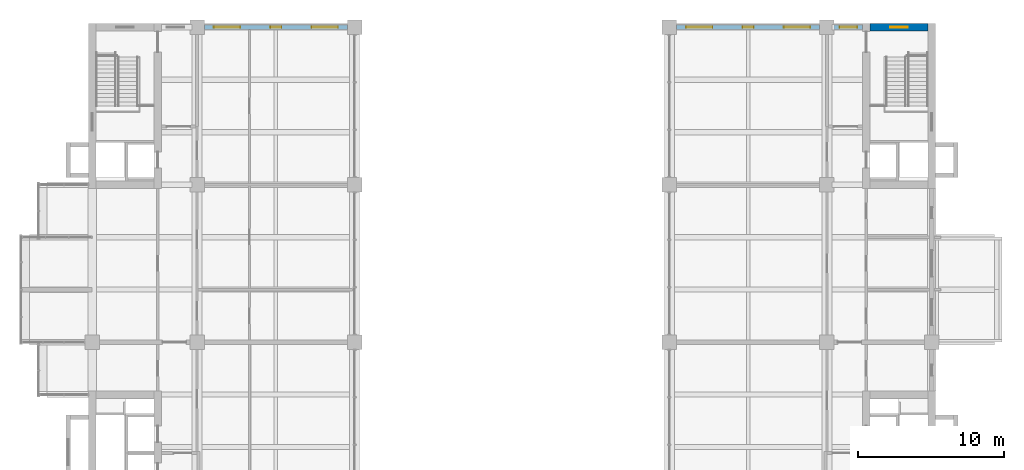
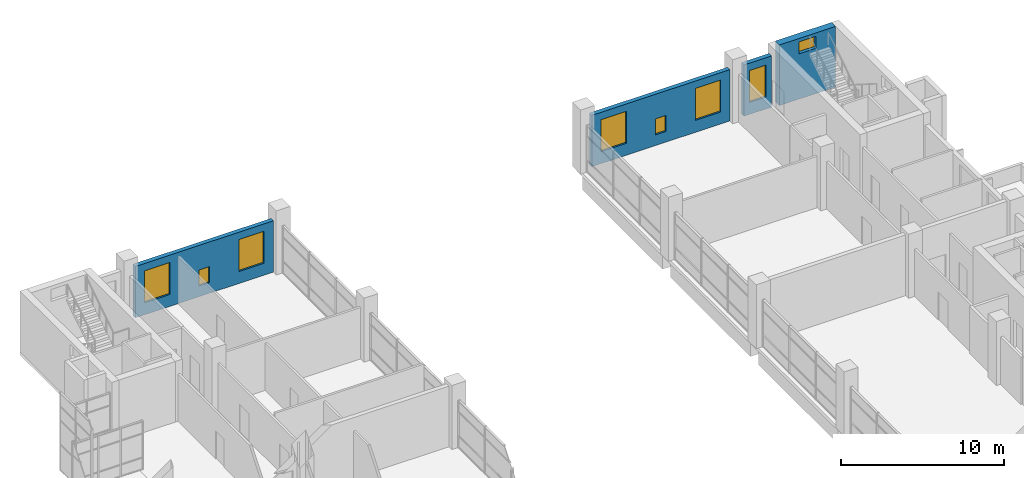
# One storey, part 27 of 30: 8 windows, 4 walls, 8 openings.
"""IFC4 building model written with IfcOpenShell, lengths in metres."""

from ifc_helpers import new_model, si_unit, direction, frame, frame_2d, origin, place, context, subcontext, project, spatial, rectangle, extrude, material, layer, layer_set, type_object, element, fill, save


model = new_model("IFC4")

# Units and contexts
model_context = context("Model", 3, precision=1e-05, world=origin(), true_north=direction((0.0, 1.0)))
body_context = subcontext(model_context, "Body", "Model", "MODEL_VIEW")
ifc_project = project(units=[si_unit("LENGTHUNIT", "METRE"), si_unit("AREAUNIT", "SQUARE_METRE"), si_unit("VOLUMEUNIT", "CUBIC_METRE"), si_unit("PLANEANGLEUNIT", "RADIAN"), si_unit("MASSUNIT", "GRAM", prefix="KILO")], contexts=[model_context])

# Site, building, storey
site_placement = place(None, origin())
site = spatial("IfcSite", under=ifc_project, at=site_placement, CompositionType="ELEMENT")
building_placement = place(site_placement, origin())
building = spatial("IfcBuilding", under=site, at=building_placement, Name="Basin Gate Institute", CompositionType="ELEMENT")
storey_placement = place(building_placement, frame((0.0, 0.0, 36.60009765625)))
storey = spatial("IfcBuildingStorey", under=building, at=storey_placement, Name="L07", CompositionType="ELEMENT", Elevation=36.60009765625)

# Wall, openings, windows
ifc_material_1 = material(Name="Aluminium-faced insulated panel wall", Category="aluminium")
ifc_layer_1 = layer(ifc_material_1, 0.300048828125)
ifc_layer_set_1 = layer_set([ifc_layer_1], Name="External wall EW1 EI 120")
wall_type_1 = type_object("IfcWallType", Name="External wall EW1 EI 120", PredefinedType="STANDARD", material=ifc_layer_set_1)
wall_1_placement = place(storey_placement, frame((68.89990234375, 99.89990234375, 0.0), z_axis=(0.0, 0.0, 1.0), x_axis=(1.0, 0.0, 0.0)))
wall_1 = element("IfcWall", 1, at=wall_1_placement, inside=storey, type_object=wall_type_1, material=ifc_layer_set_1, Name="External end wall W wing north L07 2", PredefinedType="STANDARD", context=body_context, shape_type="SweptSolid", body=[
    extrude(rectangle(XDim=9.800048828125, YDim=0.300048828125, at=frame_2d((4.89990234375, 0.0))), origin(), (0.0, 0.0, 1.0), 3.849853515625),
])
opening_1_placement = place(wall_1_placement, frame((0.64990234375, 0.0, 0.89990234375)))
opening_1 = element("IfcOpeningElement", 2, at=opening_1_placement, cuts=wall_1, Name="Opening WN1", PredefinedType="OPENING", context=body_context, shape_type="SweptSolid", body=[
    extrude(rectangle(XDim=1.800048828125, YDim=2.39990234375, at=frame_2d((0.89990234375, 1.199951171875))), frame((0.0, 0.16015625, 0.0), z_axis=(0.0, -1.0, 0.0), x_axis=(1.0, 0.0, 0.0)), (0.0, 0.0, 1.0), 0.320068359375),
])
opening_2_placement = place(wall_1_placement, frame((4.52490234375, 0.0, 0.800048828125)))
opening_2 = element("IfcOpeningElement", 3, at=opening_2_placement, cuts=wall_1, Name="Opening WN3", PredefinedType="OPENING", context=body_context, shape_type="SweptSolid", body=[
    extrude(rectangle(XDim=0.75, YDim=1.199951171875, at=frame_2d((0.375, 0.60009765625))), frame((0.0, 0.16015625, 0.0), z_axis=(0.0, -1.0, 0.0), x_axis=(1.0, 0.0, 0.0)), (0.0, 0.0, 1.0), 0.320068359375),
])
opening_3_placement = place(wall_1_placement, frame((7.35009765625, 0.0, 0.89990234375)))
opening_3 = element("IfcOpeningElement", 4, at=opening_3_placement, cuts=wall_1, Name="Opening WN1", PredefinedType="OPENING", context=body_context, shape_type="SweptSolid", body=[
    extrude(rectangle(XDim=1.800048828125, YDim=2.39990234375, at=frame_2d((0.89990234375, 1.199951171875))), frame((0.0, 0.16015625, 0.0), z_axis=(0.0, -1.0, 0.0), x_axis=(1.0, 0.0, 0.0)), (0.0, 0.0, 1.0), 0.320068359375),
])
ifc_material_2 = material(Name="Aluminium-framed double glazing", Category="aluminium")
window_type_1 = type_object("IfcWindowType", Name="Emergency entry panel WN3", PartitioningType="SINGLE_PANEL", PredefinedType="WINDOW", material=ifc_material_2)
window_1_placement = place(opening_2_placement, origin())
window_1 = element("IfcWindow", 5, at=window_1_placement, inside=storey, type_object=window_type_1, material=ifc_material_2, Name="Emergency entry panel W wing end N L07 bay 2", OverallHeight=1.199951171875, OverallWidth=0.75, PartitioningType="SINGLE_PANEL", PredefinedType="WINDOW", context=body_context, shape_type="SweptSolid", body=[
    extrude(rectangle(XDim=0.75, YDim=1.199951171875, at=frame_2d((0.375, 0.60009765625))), frame((0.0, 0.030029296875, 0.0), z_axis=(0.0, -1.0, 0.0), x_axis=(1.0, 0.0, 0.0)), (0.0, 0.0, 1.0), 0.06005859375),
])
fill(opening_2, window_1)
ifc_material_3 = material(Name="Aluminium-framed double glazing", Category="aluminium")
window_type_2 = type_object("IfcWindowType", Name="Facade window WN1", PartitioningType="SINGLE_PANEL", PredefinedType="WINDOW", material=ifc_material_3)
window_2_placement = place(opening_1_placement, origin())
window_2 = element("IfcWindow", 6, at=window_2_placement, inside=storey, type_object=window_type_2, material=ifc_material_3, Name="Facade window W wing end N L07 bay 1", OverallHeight=2.39990234375, OverallWidth=1.800048828125, PartitioningType="SINGLE_PANEL", PredefinedType="WINDOW", context=body_context, shape_type="SweptSolid", body=[
    extrude(rectangle(XDim=1.800048828125, YDim=2.39990234375, at=frame_2d((0.89990234375, 1.199951171875))), frame((0.0, 0.030029296875, 0.0), z_axis=(0.0, -1.0, 0.0), x_axis=(1.0, 0.0, 0.0)), (0.0, 0.0, 1.0), 0.06005859375),
])
fill(opening_1, window_2)
window_3_placement = place(opening_3_placement, origin())
window_3 = element("IfcWindow", 7, at=window_3_placement, inside=storey, type_object=window_type_2, material=ifc_material_3, Name="Facade window W wing end N L07 bay 3", OverallHeight=2.39990234375, OverallWidth=1.800048828125, PartitioningType="SINGLE_PANEL", PredefinedType="WINDOW", context=body_context, shape_type="SweptSolid", body=[
    extrude(rectangle(XDim=1.800048828125, YDim=2.39990234375, at=frame_2d((0.89990234375, 1.199951171875))), frame((0.0, 0.030029296875, 0.0), z_axis=(0.0, -1.0, 0.0), x_axis=(1.0, 0.0, 0.0)), (0.0, 0.0, 1.0), 0.06005859375),
])
fill(opening_3, window_3)

# Wall, opening, window
wall_2_placement = place(storey_placement, frame((114.050048828125, 99.89990234375, 0.0), z_axis=(0.0, 0.0, 1.0), x_axis=(-1.0, 0.0, 0.0)))
wall_2 = element("IfcWall", 8, at=wall_2_placement, inside=storey, type_object=wall_type_1, material=ifc_layer_set_1, Name="External end wall E wing north L07 1", PredefinedType="STANDARD", context=body_context, shape_type="SweptSolid", body=[
    extrude(rectangle(XDim=1.949951171875, YDim=0.300048828125, at=frame_2d((0.97509765625, 0.0))), origin(), (0.0, 0.0, 1.0), 3.849853515625),
])
opening_4_placement = place(wall_2_placement, frame((0.375, 0.0, 0.89990234375)))
opening_4 = element("IfcOpeningElement", 9, at=opening_4_placement, cuts=wall_2, Name="Opening WN4", PredefinedType="OPENING", context=body_context, shape_type="SweptSolid", body=[
    extrude(rectangle(XDim=1.199951171875, YDim=2.39990234375, at=frame_2d((0.60009765625, 1.199951171875))), frame((0.0, 0.16015625, 0.0), z_axis=(0.0, -1.0, 0.0), x_axis=(1.0, 0.0, 0.0)), (0.0, 0.0, 1.0), 0.320068359375),
])
ifc_material_4 = material(Name="Aluminium-framed double glazing", Category="aluminium")
window_type_3 = type_object("IfcWindowType", Name="Corridor end window WN4", PartitioningType="SINGLE_PANEL", PredefinedType="WINDOW", material=ifc_material_4)
window_4_placement = place(opening_4_placement, origin())
window_4 = element("IfcWindow", 10, at=window_4_placement, inside=storey, type_object=window_type_3, material=ifc_material_4, Name="Corridor end window E wing N L07", OverallHeight=2.39990234375, OverallWidth=1.199951171875, PartitioningType="SINGLE_PANEL", PredefinedType="WINDOW", context=body_context, shape_type="SweptSolid", body=[
    extrude(rectangle(XDim=1.199951171875, YDim=2.39990234375, at=frame_2d((0.60009765625, 1.199951171875))), frame((0.0, 0.030029296875, 0.0), z_axis=(0.0, -1.0, 0.0), x_axis=(1.0, 0.0, 0.0)), (0.0, 0.0, 1.0), 0.06005859375),
])
fill(opening_4, window_4)

# Wall, openings, windows
wall_3_placement = place(storey_placement, frame((111.10009765625, 99.89990234375, 0.0), z_axis=(0.0, 0.0, 1.0), x_axis=(-1.0, 0.0, 0.0)))
wall_3 = element("IfcWall", 11, at=wall_3_placement, inside=storey, type_object=wall_type_1, material=ifc_layer_set_1, Name="External end wall E wing north L07 2", PredefinedType="STANDARD", context=body_context, shape_type="SweptSolid", body=[
    extrude(rectangle(XDim=9.800048828125, YDim=0.300048828125, at=frame_2d((4.89990234375, 0.0))), origin(), (0.0, 0.0, 1.0), 3.849853515625),
])
opening_5_placement = place(wall_3_placement, frame((0.64990234375, 0.0, 0.89990234375)))
opening_5 = element("IfcOpeningElement", 12, at=opening_5_placement, cuts=wall_3, Name="Opening WN1", PredefinedType="OPENING", context=body_context, shape_type="SweptSolid", body=[
    extrude(rectangle(XDim=1.800048828125, YDim=2.39990234375, at=frame_2d((0.89990234375, 1.199951171875))), frame((0.0, 0.16015625, 0.0), z_axis=(0.0, -1.0, 0.0), x_axis=(1.0, 0.0, 0.0)), (0.0, 0.0, 1.0), 0.320068359375),
])
opening_6_placement = place(wall_3_placement, frame((4.52490234375, 0.0, 0.800048828125)))
opening_6 = element("IfcOpeningElement", 13, at=opening_6_placement, cuts=wall_3, Name="Opening WN3", PredefinedType="OPENING", context=body_context, shape_type="SweptSolid", body=[
    extrude(rectangle(XDim=0.75, YDim=1.199951171875, at=frame_2d((0.375, 0.60009765625))), frame((0.0, 0.16015625, 0.0), z_axis=(0.0, -1.0, 0.0), x_axis=(1.0, 0.0, 0.0)), (0.0, 0.0, 1.0), 0.320068359375),
])
opening_7_placement = place(wall_3_placement, frame((7.35009765625, 0.0, 0.89990234375)))
opening_7 = element("IfcOpeningElement", 14, at=opening_7_placement, cuts=wall_3, Name="Opening WN1", PredefinedType="OPENING", context=body_context, shape_type="SweptSolid", body=[
    extrude(rectangle(XDim=1.800048828125, YDim=2.39990234375, at=frame_2d((0.89990234375, 1.199951171875))), frame((0.0, 0.16015625, 0.0), z_axis=(0.0, -1.0, 0.0), x_axis=(1.0, 0.0, 0.0)), (0.0, 0.0, 1.0), 0.320068359375),
])
window_5_placement = place(opening_6_placement, origin())
window_5 = element("IfcWindow", 15, at=window_5_placement, inside=storey, type_object=window_type_1, material=ifc_material_2, Name="Emergency entry panel E wing end N L07 bay 2", OverallHeight=1.199951171875, OverallWidth=0.75, PartitioningType="SINGLE_PANEL", PredefinedType="WINDOW", context=body_context, shape_type="SweptSolid", body=[
    extrude(rectangle(XDim=0.75, YDim=1.199951171875, at=frame_2d((0.375, 0.60009765625))), frame((0.0, 0.030029296875, 0.0), z_axis=(0.0, -1.0, 0.0), x_axis=(1.0, 0.0, 0.0)), (0.0, 0.0, 1.0), 0.06005859375),
])
fill(opening_6, window_5)
window_6_placement = place(opening_5_placement, origin())
window_6 = element("IfcWindow", 16, at=window_6_placement, inside=storey, type_object=window_type_2, material=ifc_material_3, Name="Facade window E wing end N L07 bay 1", OverallHeight=2.39990234375, OverallWidth=1.800048828125, PartitioningType="SINGLE_PANEL", PredefinedType="WINDOW", context=body_context, shape_type="SweptSolid", body=[
    extrude(rectangle(XDim=1.800048828125, YDim=2.39990234375, at=frame_2d((0.89990234375, 1.199951171875))), frame((0.0, 0.030029296875, 0.0), z_axis=(0.0, -1.0, 0.0), x_axis=(1.0, 0.0, 0.0)), (0.0, 0.0, 1.0), 0.06005859375),
])
fill(opening_5, window_6)
window_7_placement = place(opening_7_placement, origin())
window_7 = element("IfcWindow", 17, at=window_7_placement, inside=storey, type_object=window_type_2, material=ifc_material_3, Name="Facade window E wing end N L07 bay 3", OverallHeight=2.39990234375, OverallWidth=1.800048828125, PartitioningType="SINGLE_PANEL", PredefinedType="WINDOW", context=body_context, shape_type="SweptSolid", body=[
    extrude(rectangle(XDim=1.800048828125, YDim=2.39990234375, at=frame_2d((0.89990234375, 1.199951171875))), frame((0.0, 0.030029296875, 0.0), z_axis=(0.0, -1.0, 0.0), x_axis=(1.0, 0.0, 0.0)), (0.0, 0.0, 1.0), 0.06005859375),
])
fill(opening_7, window_7)

# Wall, opening, window
ifc_material_5 = material(Name="Concrete 60 MPa", Category="concrete")
ifc_layer_2 = layer(ifc_material_5, 0.5)
ifc_layer_set_2 = layer_set([ifc_layer_2], Name="Concrete 60 MPa")
wall_type_2 = type_object("IfcWallType", Name="Wall SW1 R120", PredefinedType="SHEAR", material=ifc_layer_set_2)
wall_4_placement = place(storey_placement, frame((118.550048828125, 99.89990234375, 0.0), z_axis=(0.0, 0.0, 1.0), x_axis=(-1.0, 0.0, 0.0)))
wall_4 = element("IfcWall", 18, at=wall_4_placement, inside=storey, type_object=wall_type_2, material=ifc_layer_set_2, Name="WALL/L07/EN/N", PredefinedType="SHEAR", context=body_context, shape_type="SweptSolid", body=[
    extrude(rectangle(XDim=4.0, YDim=0.5, at=frame_2d((2.0, 0.0))), origin(), (0.0, 0.0, 1.0), 4.5498046875),
])
opening_8_placement = place(wall_4_placement, frame((1.39990234375, 0.0, 3.39990234375)))
opening_8 = element("IfcOpeningElement", 19, at=opening_8_placement, cuts=wall_4, Name="Opening WT2", PredefinedType="OPENING", context=body_context, shape_type="SweptSolid", body=[
    extrude(rectangle(XDim=1.199951171875, YDim=0.89990234375, at=frame_2d((0.60009765625, 0.449951171875))), frame((0.0, 0.260009765625, 0.0), z_axis=(0.0, -1.0, 0.0), x_axis=(1.0, 0.0, 0.0)), (0.0, 0.0, 1.0), 0.52001953125),
])
ifc_material_6 = material(Name="Fire-resistant glazing in steel-free frame", Category="steel")
window_type_4 = type_object("IfcWindowType", Name="Rated stair window EI 120 WT2", PartitioningType="SINGLE_PANEL", PredefinedType="WINDOW", material=ifc_material_6)
window_8_placement = place(opening_8_placement, origin())
window_8 = element("IfcWindow", 20, at=window_8_placement, inside=storey, type_object=window_type_4, material=ifc_material_6, Name="Rated stair window EI 120 EN end L07", OverallHeight=0.89990234375, OverallWidth=1.199951171875, PartitioningType="SINGLE_PANEL", PredefinedType="WINDOW", context=body_context, shape_type="SweptSolid", body=[
    extrude(rectangle(XDim=1.199951171875, YDim=0.89990234375, at=frame_2d((0.60009765625, 0.449951171875))), frame((0.0, 0.030029296875, 0.0), z_axis=(0.0, -1.0, 0.0), x_axis=(1.0, 0.0, 0.0)), (0.0, 0.0, 1.0), 0.06005859375),
])
fill(opening_8, window_8)

save(model, "model.ifc")
